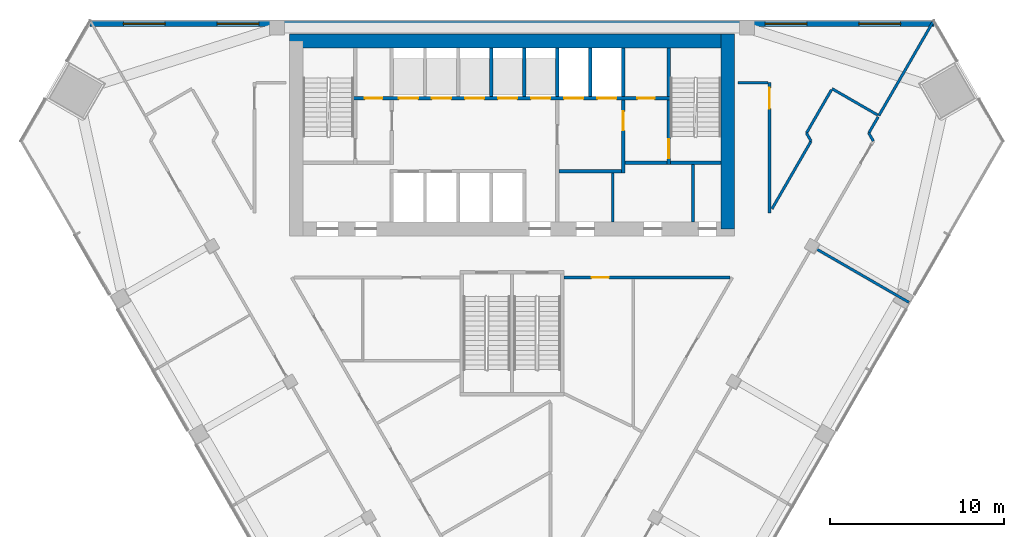
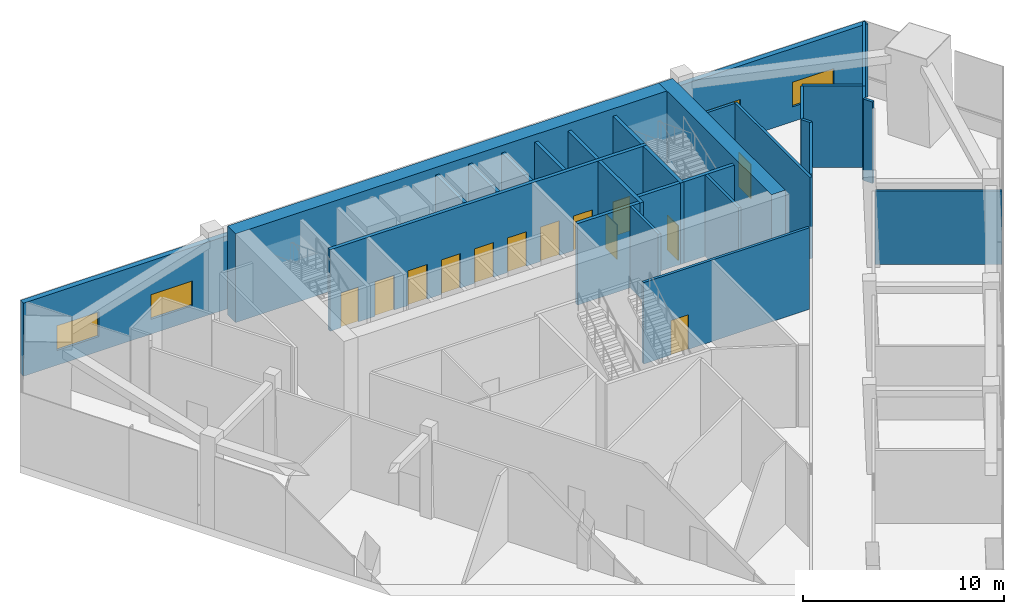
# One storey, part 9 of 12: 28 walls, 13 doors, 4 windows, 17 openings.
"""IFC4 building model written with IfcOpenShell, lengths in metres."""

from ifc_helpers import new_model, si_unit, direction, frame, frame_2d, origin, place, context, subcontext, project, spatial, rectangle, extrude, material, layer, layer_set, type_object, element, fill, save


model = new_model("IFC4")

# Units and contexts
model_context = context("Model", 3, precision=1e-05, world=origin(), true_north=direction((0.0, 1.0)))
body_context = subcontext(model_context, "Body", "Model", "MODEL_VIEW")
ifc_project = project(units=[si_unit("LENGTHUNIT", "METRE"), si_unit("AREAUNIT", "SQUARE_METRE"), si_unit("VOLUMEUNIT", "CUBIC_METRE"), si_unit("PLANEANGLEUNIT", "RADIAN"), si_unit("MASSUNIT", "GRAM", prefix="KILO")], contexts=[model_context])

# Site, building, storey
site_placement = place(None, origin())
site = spatial("IfcSite", under=ifc_project, at=site_placement, CompositionType="ELEMENT")
building_placement = place(site_placement, origin())
building = spatial("IfcBuilding", under=site, at=building_placement, Name="Altiplano Prism Tower", CompositionType="ELEMENT")
storey_placement = place(building_placement, frame((0.0, 0.0, 118.800048828125)))
storey = spatial("IfcBuildingStorey", under=building, at=storey_placement, Name="L30", CompositionType="ELEMENT", Elevation=118.800048828125)

# Walls
ifc_material_1 = material(Name="Concrete C60/75", Category="concrete")
ifc_layer_1 = layer(ifc_material_1, 0.800048828125)
ifc_layer_set_1 = layer_set([ifc_layer_1], Name="Concrete C60/75")
wall_type_1 = type_object("IfcWallType", Name="Core wall 800", PredefinedType="SHEAR", material=ifc_layer_set_1)
wall_1_placement = place(storey_placement, frame((97.39990234375, 93.0, 0.0), z_axis=(0.0, 0.0, 1.0), x_axis=(0.0, 1.0, 0.0)))
element("IfcWall", 1, at=wall_1_placement, inside=storey, type_object=wall_type_1, Name="Core wall E L30", PredefinedType="SHEAR", context=body_context, shape_type="SweptSolid", body=[
    extrude(rectangle(XDim=11.199951171875, YDim=0.800048828125, at=frame_2d((5.60009765625, 0.0))), origin(), (0.0, 0.0, 1.0), 5.39990234375),
])
wall_2_placement = place(storey_placement, frame((97.39990234375, 103.800048828125, 0.0), z_axis=(0.0, 0.0, 1.0), x_axis=(-1.0, 0.0, 0.0)))
element("IfcWall", 2, at=wall_2_placement, inside=storey, type_object=wall_type_1, Name="Core wall N L30", PredefinedType="SHEAR", context=body_context, shape_type="SweptSolid", body=[
    extrude(rectangle(XDim=25.199951171875, YDim=0.800048828125, at=frame_2d((12.60009765625, 0.0))), origin(), (0.0, 0.0, 1.0), 5.39990234375),
])
ifc_material_2 = material(Name="Plasterboard on steel stud", Category="steel")
ifc_layer_2 = layer(ifc_material_2, 0.14990234375)
ifc_layer_set_2 = layer_set([ifc_layer_2], Name="Plasterboard on steel stud")
wall_type_2 = type_object("IfcWallType", Name="Partition 150 corridor", PredefinedType="PARTITIONING", material=ifc_layer_set_2)
wall_3_placement = place(storey_placement, frame((105.76953125, 98.03955078125, 0.0), z_axis=(0.0, 0.0, 1.0), x_axis=(-0.500040427072, 0.866002061945, 0.0)))
element("IfcWall", 3, at=wall_3_placement, inside=storey, type_object=wall_type_2, Name="Partition P06 L30 007", PredefinedType="PARTITIONING", context=body_context, shape_type="SweptSolid", body=[
    extrude(rectangle(XDim=0.53173828125, YDim=0.14990234375, at=frame_2d((0.265869140625, 0.0))), origin(), (0.0, 0.0, 1.0), 4.949951171875),
])
wall_4_placement = place(storey_placement, frame((105.503662109375, 98.5, 0.0), z_axis=(0.0, 0.0, 1.0), x_axis=(0.500002782129, 0.866023797515, 0.0)))
element("IfcWall", 4, at=wall_4_placement, inside=storey, type_object=wall_type_2, Name="Partition P06 L30 008", PredefinedType="PARTITIONING", context=body_context, shape_type="SweptSolid", body=[
    extrude(rectangle(XDim=1.08056640625, YDim=0.14990234375, at=frame_2d((0.540283203125, 0.0))), origin(), (0.0, 0.0, 1.0), 4.949951171875),
])
wall_5_placement = place(storey_placement, frame((106.016357421875, 99.538330078125, 0.0), z_axis=(0.0, 0.0, 1.0), x_axis=(-0.866125135103, 0.49982722049, 0.0)))
element("IfcWall", 5, at=wall_5_placement, inside=storey, type_object=wall_type_2, Name="Partition P06 L30 009", PredefinedType="PARTITIONING", context=body_context, shape_type="SweptSolid", body=[
    extrude(rectangle(XDim=3.02587890625, YDim=0.14990234375, at=frame_2d((1.512939453125, 0.0))), origin(), (0.0, 0.0, 1.0), 4.949951171875),
])
wall_6_placement = place(storey_placement, frame((103.358154296875, 100.98583984375, 0.0), z_axis=(0.0, 0.0, 1.0), x_axis=(-0.500036638401, -0.866004249561, 0.0)))
element("IfcWall", 6, at=wall_6_placement, inside=storey, type_object=wall_type_2, Name="Partition P06 L30 010", PredefinedType="PARTITIONING", context=body_context, shape_type="SweptSolid", body=[
    extrude(rectangle(XDim=2.869873046875, YDim=0.14990234375, at=frame_2d((1.43505859375, 0.0))), origin(), (0.0, 0.0, 1.0), 4.949951171875),
])
wall_7_placement = place(storey_placement, frame((101.923095703125, 98.50048828125, 0.0), z_axis=(0.0, 0.0, 1.0), x_axis=(0.499298623879, -0.866429964967, 0.0)))
element("IfcWall", 7, at=wall_7_placement, inside=storey, type_object=wall_type_2, Name="Partition P06 L30 011", PredefinedType="PARTITIONING", context=body_context, shape_type="SweptSolid", body=[
    extrude(rectangle(XDim=0.531982421875, YDim=0.14990234375, at=frame_2d((0.26611328125, 0.0))), origin(), (0.0, 0.0, 1.0), 4.949951171875),
])
wall_8_placement = place(storey_placement, frame((102.188720703125, 98.03955078125, 0.0), z_axis=(0.0, 0.0, 1.0), x_axis=(-0.499999806828, -0.866025515312, 0.0)))
element("IfcWall", 8, at=wall_8_placement, inside=storey, type_object=wall_type_2, Name="Partition P06 L30 012", PredefinedType="PARTITIONING", context=body_context, shape_type="SweptSolid", body=[
    extrude(rectangle(XDim=4.49560546875, YDim=0.14990234375, at=frame_2d((2.247802734375, 0.0))), origin(), (0.0, 0.0, 1.0), 4.949951171875),
])

# Wall, opening, door
wall_9_placement = place(storey_placement, frame((99.801025390625, 93.90380859375, 0.0), z_axis=(0.0, 0.0, 1.0), x_axis=(0.0, 1.0, 0.0)))
wall_9 = element("IfcWall", 9, at=wall_9_placement, inside=storey, type_object=wall_type_2, Name="Partition P06 L30 013", PredefinedType="PARTITIONING", context=body_context, shape_type="SweptSolid", body=[
    extrude(rectangle(XDim=7.496337890625, YDim=0.14990234375, at=frame_2d((3.748046875, 0.0))), origin(), (0.0, 0.0, 1.0), 4.949951171875),
])
opening_1_placement = place(wall_9_placement, frame((6.0, 0.0, 0.0)))
opening_1 = element("IfcOpeningElement", 10, at=opening_1_placement, cuts=wall_9, Name="Opening D1084", PredefinedType="OPENING", context=body_context, shape_type="SweptSolid", body=[
    extrude(rectangle(XDim=1.199951171875, YDim=2.10009765625, at=frame_2d((0.60009765625, 1.050048828125))), frame((0.0, 0.08544921875, 0.0), z_axis=(0.0, -1.0, 0.0), x_axis=(1.0, 0.0, 0.0)), (0.0, 0.0, 1.0), 0.1708984375),
])
ifc_material_3 = material(Name="Timber", Category="wood")
door_type_1 = type_object("IfcDoorType", Name="Shared room door 1200 x 2100", OperationType="NOTDEFINED", PredefinedType="NOTDEFINED", material=ifc_material_3)
door_1_placement = place(opening_1_placement, origin())
door_1 = element("IfcDoor", 11, at=door_1_placement, inside=storey, type_object=door_type_1, Name="Door D1084", OperationType="SINGLE_SWING_LEFT", OverallHeight=2.10009765625, OverallWidth=1.199951171875, PredefinedType="NOTDEFINED", context=body_context, shape_type="SweptSolid", body=[
    extrude(rectangle(XDim=1.199951171875, YDim=2.10009765625, at=frame_2d((0.60009765625, 1.050048828125))), frame((0.0, 0.02490234375, 0.0), z_axis=(0.0, -1.0, 0.0), x_axis=(1.0, 0.0, 0.0)), (0.0, 0.0, 1.0), 0.050048828125),
])
fill(opening_1, door_1)

# Wall
wall_10_placement = place(storey_placement, frame((99.72607421875, 101.400146484375, 0.0), z_axis=(0.0, 0.0, 1.0), x_axis=(-0.999999909973, 0.000424328109, 0.0)))
element("IfcWall", 12, at=wall_10_placement, inside=storey, type_object=wall_type_2, Name="Partition P06 L30 014", PredefinedType="PARTITIONING", context=body_context, shape_type="SweptSolid", body=[
    extrude(rectangle(XDim=1.72607421875, YDim=0.14990234375, at=frame_2d((0.863037109375, 0.0))), origin(), (0.0, 0.0, 1.0), 4.949951171875),
])

# Wall, opening, door
wall_11_placement = place(storey_placement, frame((88.0, 90.198974609375, 0.0), z_axis=(0.0, 0.0, 1.0), x_axis=(1.0, 0.0, 0.0)))
wall_11 = element("IfcWall", 13, at=wall_11_placement, inside=storey, type_object=wall_type_2, Name="Partition P06 L30 022", PredefinedType="PARTITIONING", context=body_context, shape_type="SweptSolid", body=[
    extrude(rectangle(XDim=9.531982421875, YDim=0.14990234375, at=frame_2d((4.76611328125, 0.0))), origin(), (0.0, 0.0, 1.0), 4.949951171875),
])
opening_2_placement = place(wall_11_placement, frame((1.570068359375, 0.0, 0.0)))
opening_2 = element("IfcOpeningElement", 14, at=opening_2_placement, cuts=wall_11, Name="Opening D1087", PredefinedType="OPENING", context=body_context, shape_type="SweptSolid", body=[
    extrude(rectangle(XDim=1.0, YDim=2.10009765625, at=frame_2d((0.5, 1.050048828125))), frame((0.0, 0.08544921875, 0.0), z_axis=(0.0, -1.0, 0.0), x_axis=(1.0, 0.0, 0.0)), (0.0, 0.0, 1.0), 0.1708984375),
])
door_type_2 = type_object("IfcDoorType", Name="Room door 1000 x 2100", OperationType="NOTDEFINED", PredefinedType="NOTDEFINED", material=ifc_material_3)
door_2_placement = place(opening_2_placement, origin())
door_2 = element("IfcDoor", 15, at=door_2_placement, inside=storey, type_object=door_type_2, Name="Door D1087", OperationType="SINGLE_SWING_LEFT", OverallHeight=2.10009765625, OverallWidth=1.0, PredefinedType="NOTDEFINED", context=body_context, shape_type="SweptSolid", body=[
    extrude(rectangle(XDim=1.0, YDim=2.10009765625, at=frame_2d((0.5, 1.050048828125))), frame((0.0, 0.02490234375, 0.0), z_axis=(0.0, -1.0, 0.0), x_axis=(1.0, 0.0, 0.0)), (0.0, 0.0, 1.0), 0.050048828125),
])
fill(opening_2, door_2)

# Walls
ifc_layer_3 = layer(ifc_material_2, 0.14990234375)
ifc_layer_set_3 = layer_set([ifc_layer_3], Name="Plasterboard on steel stud")
wall_type_3 = type_object("IfcWallType", Name="Partition 150 party", PredefinedType="PARTITIONING", material=ifc_layer_set_3)
wall_12_placement = place(storey_placement, frame((107.810302734375, 88.774169921875, 0.0), z_axis=(0.0, 0.0, 1.0), x_axis=(-0.866025537322, 0.499999768706, 0.0)))
element("IfcWall", 16, at=wall_12_placement, inside=storey, type_object=wall_type_3, Name="Partition P01 L30 040", PredefinedType="PARTITIONING", context=body_context, shape_type="SweptSolid", body=[
    extrude(rectangle(XDim=6.3251953125, YDim=0.14990234375, at=frame_2d((3.16259765625, 0.0))), origin(), (0.0, 0.0, 1.0), 4.449951171875),
])
wall_13_placement = place(storey_placement, frame((109.198486328125, 104.89990234375, 0.0), z_axis=(0.0, 0.0, 1.0), x_axis=(-0.500013984911, -0.866017329442, 0.0)))
element("IfcWall", 17, at=wall_13_placement, inside=storey, type_object=wall_type_3, Name="Partition P01 L30 041", PredefinedType="PARTITIONING", context=body_context, shape_type="SweptSolid", body=[
    extrude(rectangle(XDim=6.234130859375, YDim=0.14990234375, at=frame_2d((3.1171875, 0.0))), origin(), (0.0, 0.0, 1.0), 4.449951171875),
])
ifc_material_4 = material(Name="Fire-rated gypsum board partition")
ifc_layer_4 = layer(ifc_material_4, 0.14990234375)
ifc_layer_set_4 = layer_set([ifc_layer_4], Name="Fire-rated gypsum board partition")
wall_type_4 = type_object("IfcWallType", Name="Room partition 150", PredefinedType="PARTITIONING", material=ifc_layer_set_4)
wall_14_placement = place(storey_placement, frame((90.800048828125, 93.39990234375, 0.0), z_axis=(0.0, 0.0, 1.0), x_axis=(0.0, 1.0, 0.0)))
element("IfcWall", 18, at=wall_14_placement, inside=storey, type_object=wall_type_4, Name="Room partition L30", PredefinedType="PARTITIONING", context=body_context, shape_type="SweptSolid", body=[
    extrude(rectangle(XDim=2.800048828125, YDim=0.14990234375, at=frame_2d((1.39990234375, 0.0))), origin(), (0.0, 0.0, 1.0), 4.949951171875),
])
wall_15_placement = place(storey_placement, frame((95.39990234375, 93.39990234375, 0.0), z_axis=(0.0, 0.0, 1.0), x_axis=(0.0, 1.0, 0.0)))
element("IfcWall", 19, at=wall_15_placement, inside=storey, type_object=wall_type_4, Name="Room partition L30", PredefinedType="PARTITIONING", context=body_context, shape_type="SweptSolid", body=[
    extrude(rectangle(XDim=3.300048828125, YDim=0.14990234375, at=frame_2d((1.64990234375, 0.0))), origin(), (0.0, 0.0, 1.0), 4.949951171875),
])
ifc_layer_5 = layer(ifc_material_1, 0.199951171875)
ifc_layer_set_5 = layer_set([ifc_layer_5], Name="Concrete C60/75")
wall_type_5 = type_object("IfcWallType", Name="Shaft wall 200", PredefinedType="SOLIDWALL", material=ifc_layer_set_5)
for number, where, z_axis, x_axis, name in (
    (20, (83.800048828125, 100.60009765625, 0.0), (0.0, 0.0, 1.0), (0.0, 1.0, 0.0), "Shaft wall L30"),
    (21, (85.699951171875, 100.60009765625, 0.0), (0.0, 0.0, 1.0), (0.0, 1.0, 0.0), "Shaft wall L30"),
    (22, (87.60009765625, 100.60009765625, 0.0), (0.0, 0.0, 1.0), (0.0, 1.0, 0.0), "Shaft wall L30"),
    (23, (89.5, 100.60009765625, 0.0), (0.0, 0.0, 1.0), (0.0, 1.0, 0.0), "Shaft wall L30"),
    (24, (91.39990234375, 100.60009765625, 0.0), (0.0, 0.0, 1.0), (0.0, 1.0, 0.0), "Shaft wall L30"),
):
    element("IfcWall", number, at=place(storey_placement, frame(where, z_axis=z_axis, x_axis=x_axis)), inside=storey, type_object=wall_type_5, Name=name, PredefinedType="SOLIDWALL", context=body_context, shape_type="SweptSolid", body=[
        extrude(rectangle(XDim=2.7998046875, YDim=0.199951171875, at=frame_2d((1.39990234375, 0.0))), origin(), (0.0, 0.0, 1.0), 4.949951171875),
    ])

# Wall, opening, door
ifc_layer_6 = layer(ifc_material_1, 0.199951171875)
ifc_layer_set_6 = layer_set([ifc_layer_6], Name="Concrete C60/75")
wall_type_6 = type_object("IfcWallType", Name="Stair wall 200", PredefinedType="SOLIDWALL", material=ifc_layer_set_6)
wall_16_placement = place(storey_placement, frame((94.0, 96.699951171875, 0.0), z_axis=(0.0, 0.0, 1.0), x_axis=(0.0, 1.0, 0.0)))
wall_16 = element("IfcWall", 25, at=wall_16_placement, inside=storey, type_object=wall_type_6, Name="Stair wall L30", PredefinedType="SOLIDWALL", context=body_context, shape_type="SweptSolid", body=[
    extrude(rectangle(XDim=3.699951171875, YDim=0.199951171875, at=frame_2d((1.85009765625, 0.0))), origin(), (0.0, 0.0, 1.0), 4.949951171875),
])
opening_3_placement = place(wall_16_placement, frame((0.35009765625, 0.0, 0.0)))
opening_3 = element("IfcOpeningElement", 26, at=opening_3_placement, cuts=wall_16, Name="Opening D2986", PredefinedType="OPENING", context=body_context, shape_type="SweptSolid", body=[
    extrude(rectangle(XDim=1.10009765625, YDim=2.10009765625, at=frame_2d((0.550048828125, 1.050048828125))), frame((0.0, 0.1103515625, 0.0), z_axis=(0.0, -1.0, 0.0), x_axis=(1.0, 0.0, 0.0)), (0.0, 0.0, 1.0), 0.220947265625),
])
ifc_material_5 = material(Name="Fire-rated steel door", Category="steel")
door_type_3 = type_object("IfcDoorType", Name="Stair fire door 1100 x 2100", OperationType="NOTDEFINED", PredefinedType="NOTDEFINED", material=ifc_material_5)
door_3_placement = place(opening_3_placement, origin())
door_3 = element("IfcDoor", 27, at=door_3_placement, inside=storey, type_object=door_type_3, Name="Stair fire door D2986", OperationType="SINGLE_SWING_LEFT", OverallHeight=2.10009765625, OverallWidth=1.10009765625, PredefinedType="NOTDEFINED", context=body_context, shape_type="SweptSolid", body=[
    extrude(rectangle(XDim=1.10009765625, YDim=2.10009765625, at=frame_2d((0.550048828125, 1.050048828125))), frame((0.0, 0.02490234375, 0.0), z_axis=(0.0, -1.0, 0.0), x_axis=(1.0, 0.0, 0.0)), (0.0, 0.0, 1.0), 0.050048828125),
])
fill(opening_3, door_3)

# Wall
wall_17_placement = place(storey_placement, frame((94.10009765625, 96.800048828125, 0.0), z_axis=(0.0, 0.0, 1.0), x_axis=(1.0, 0.0, 0.0)))
element("IfcWall", 28, at=wall_17_placement, inside=storey, type_object=wall_type_6, Name="Stair wall L30", PredefinedType="SOLIDWALL", context=body_context, shape_type="SweptSolid", body=[
    extrude(rectangle(XDim=2.89990234375, YDim=0.199951171875, at=frame_2d((1.449951171875, 0.0))), origin(), (0.0, 0.0, 1.0), 4.949951171875),
])

# Wall, openings, doors
wall_18_placement = place(storey_placement, frame((75.89990234375, 100.5, 0.0), z_axis=(0.0, 0.0, 1.0), x_axis=(1.0, 0.0, 0.0)))
wall_18 = element("IfcWall", 29, at=wall_18_placement, inside=storey, type_object=wall_type_6, Name="Stair wall L30", PredefinedType="SOLIDWALL", context=body_context, shape_type="SweptSolid", body=[
    extrude(rectangle(XDim=18.2001953125, YDim=0.199951171875, at=frame_2d((9.10009765625, 0.0))), origin(), (0.0, 0.0, 1.0), 4.949951171875),
])
opening_4_placement = place(wall_18_placement, frame((2.60009765625, 0.0, 0.0)))
opening_4 = element("IfcOpeningElement", 30, at=opening_4_placement, cuts=wall_18, Name="Opening LD-ML1-L30", PredefinedType="OPENING", context=body_context, shape_type="SweptSolid", body=[
    extrude(rectangle(XDim=1.10009765625, YDim=2.10009765625, at=frame_2d((0.550048828125, 1.050048828125))), frame((0.0, 0.1103515625, 0.0), z_axis=(0.0, -1.0, 0.0), x_axis=(1.0, 0.0, 0.0)), (0.0, 0.0, 1.0), 0.220947265625),
])
opening_5_placement = place(wall_18_placement, frame((4.5, 0.0, 0.0)))
opening_5 = element("IfcOpeningElement", 31, at=opening_5_placement, cuts=wall_18, Name="Opening LD-ML2-L30", PredefinedType="OPENING", context=body_context, shape_type="SweptSolid", body=[
    extrude(rectangle(XDim=1.10009765625, YDim=2.10009765625, at=frame_2d((0.550048828125, 1.050048828125))), frame((0.0, 0.1103515625, 0.0), z_axis=(0.0, -1.0, 0.0), x_axis=(1.0, 0.0, 0.0)), (0.0, 0.0, 1.0), 0.220947265625),
])
opening_6_placement = place(wall_18_placement, frame((6.39990234375, 0.0, 0.0)))
opening_6 = element("IfcOpeningElement", 32, at=opening_6_placement, cuts=wall_18, Name="Opening LD-ML3-L30", PredefinedType="OPENING", context=body_context, shape_type="SweptSolid", body=[
    extrude(rectangle(XDim=1.10009765625, YDim=2.10009765625, at=frame_2d((0.550048828125, 1.050048828125))), frame((0.0, 0.1103515625, 0.0), z_axis=(0.0, -1.0, 0.0), x_axis=(1.0, 0.0, 0.0)), (0.0, 0.0, 1.0), 0.220947265625),
])
opening_7_placement = place(wall_18_placement, frame((8.300048828125, 0.0, 0.0)))
opening_7 = element("IfcOpeningElement", 33, at=opening_7_placement, cuts=wall_18, Name="Opening LD-ML4-L30", PredefinedType="OPENING", context=body_context, shape_type="SweptSolid", body=[
    extrude(rectangle(XDim=1.10009765625, YDim=2.10009765625, at=frame_2d((0.550048828125, 1.050048828125))), frame((0.0, 0.1103515625, 0.0), z_axis=(0.0, -1.0, 0.0), x_axis=(1.0, 0.0, 0.0)), (0.0, 0.0, 1.0), 0.220947265625),
])
opening_8_placement = place(wall_18_placement, frame((10.199951171875, 0.0, 0.0)))
opening_8 = element("IfcOpeningElement", 34, at=opening_8_placement, cuts=wall_18, Name="Opening LD-ML5-L30", PredefinedType="OPENING", context=body_context, shape_type="SweptSolid", body=[
    extrude(rectangle(XDim=1.10009765625, YDim=2.10009765625, at=frame_2d((0.550048828125, 1.050048828125))), frame((0.0, 0.1103515625, 0.0), z_axis=(0.0, -1.0, 0.0), x_axis=(1.0, 0.0, 0.0)), (0.0, 0.0, 1.0), 0.220947265625),
])
opening_9_placement = place(wall_18_placement, frame((12.10009765625, 0.0, 0.0)))
opening_9 = element("IfcOpeningElement", 35, at=opening_9_placement, cuts=wall_18, Name="Opening LD-FF1-L30", PredefinedType="OPENING", context=body_context, shape_type="SweptSolid", body=[
    extrude(rectangle(XDim=1.10009765625, YDim=2.10009765625, at=frame_2d((0.550048828125, 1.050048828125))), frame((0.0, 0.1103515625, 0.0), z_axis=(0.0, -1.0, 0.0), x_axis=(1.0, 0.0, 0.0)), (0.0, 0.0, 1.0), 0.220947265625),
])
opening_10_placement = place(wall_18_placement, frame((14.0, 0.0, 0.0)))
opening_10 = element("IfcOpeningElement", 36, at=opening_10_placement, cuts=wall_18, Name="Opening LD-FF2-L30", PredefinedType="OPENING", context=body_context, shape_type="SweptSolid", body=[
    extrude(rectangle(XDim=1.10009765625, YDim=2.10009765625, at=frame_2d((0.550048828125, 1.050048828125))), frame((0.0, 0.1103515625, 0.0), z_axis=(0.0, -1.0, 0.0), x_axis=(1.0, 0.0, 0.0)), (0.0, 0.0, 1.0), 0.220947265625),
])
opening_11_placement = place(wall_18_placement, frame((0.64990234375, 0.0, 0.0)))
opening_11 = element("IfcOpeningElement", 37, at=opening_11_placement, cuts=wall_18, Name="Opening D2993", PredefinedType="OPENING", context=body_context, shape_type="SweptSolid", body=[
    extrude(rectangle(XDim=1.0, YDim=2.10009765625, at=frame_2d((0.5, 1.050048828125))), frame((0.0, 0.1103515625, 0.0), z_axis=(0.0, -1.0, 0.0), x_axis=(1.0, 0.0, 0.0)), (0.0, 0.0, 1.0), 0.220947265625),
])
opening_12_placement = place(wall_18_placement, frame((16.300048828125, 0.0, 0.0)))
opening_12 = element("IfcOpeningElement", 38, at=opening_12_placement, cuts=wall_18, Name="Opening D2994", PredefinedType="OPENING", context=body_context, shape_type="SweptSolid", body=[
    extrude(rectangle(XDim=1.0, YDim=2.10009765625, at=frame_2d((0.5, 1.050048828125))), frame((0.0, 0.1103515625, 0.0), z_axis=(0.0, -1.0, 0.0), x_axis=(1.0, 0.0, 0.0)), (0.0, 0.0, 1.0), 0.220947265625),
])
door_type_4 = type_object("IfcDoorType", Name="Core room door 1000 x 2100", OperationType="NOTDEFINED", PredefinedType="NOTDEFINED", material=ifc_material_5)
door_4_placement = place(opening_11_placement, origin())
door_4 = element("IfcDoor", 39, at=door_4_placement, inside=storey, type_object=door_type_4, Name="Core room door D2993", OperationType="SINGLE_SWING_LEFT", OverallHeight=2.10009765625, OverallWidth=1.0, PredefinedType="NOTDEFINED", context=body_context, shape_type="SweptSolid", body=[
    extrude(rectangle(XDim=1.0, YDim=2.10009765625, at=frame_2d((0.5, 1.050048828125))), frame((0.0, 0.02490234375, 0.0), z_axis=(0.0, -1.0, 0.0), x_axis=(1.0, 0.0, 0.0)), (0.0, 0.0, 1.0), 0.050048828125),
])
fill(opening_11, door_4)
door_5_placement = place(opening_12_placement, origin())
door_5 = element("IfcDoor", 40, at=door_5_placement, inside=storey, type_object=door_type_4, Name="Core room door D2994", OperationType="SINGLE_SWING_RIGHT", OverallHeight=2.10009765625, OverallWidth=1.0, PredefinedType="NOTDEFINED", context=body_context, shape_type="SweptSolid", body=[
    extrude(rectangle(XDim=1.0, YDim=2.10009765625, at=frame_2d((0.5, 1.050048828125))), frame((0.0, 0.02490234375, 0.0), z_axis=(0.0, -1.0, 0.0), x_axis=(1.0, 0.0, 0.0)), (0.0, 0.0, 1.0), 0.050048828125),
])
fill(opening_12, door_5)
ifc_material_6 = material(Name="Stainless steel landing door", Category="steel")
door_type_5 = type_object("IfcDoorType", Name="Landing door 1100 x 2100", OperationType="NOTDEFINED", PredefinedType="NOTDEFINED", material=ifc_material_6)
door_6_placement = place(opening_4_placement, origin())
door_6 = element("IfcDoor", 41, at=door_6_placement, inside=storey, type_object=door_type_5, Name="Landing doors ML1", OperationType="SLIDING_TO_RIGHT", OverallHeight=2.10009765625, OverallWidth=1.10009765625, PredefinedType="NOTDEFINED", context=body_context, shape_type="SweptSolid", body=[
    extrude(rectangle(XDim=1.10009765625, YDim=2.10009765625, at=frame_2d((0.550048828125, 1.050048828125))), frame((0.0, 0.02490234375, 0.0), z_axis=(0.0, -1.0, 0.0), x_axis=(1.0, 0.0, 0.0)), (0.0, 0.0, 1.0), 0.050048828125),
])
fill(opening_4, door_6)
door_7_placement = place(opening_5_placement, origin())
door_7 = element("IfcDoor", 42, at=door_7_placement, inside=storey, type_object=door_type_5, Name="Landing doors ML2", OperationType="SLIDING_TO_LEFT", OverallHeight=2.10009765625, OverallWidth=1.10009765625, PredefinedType="NOTDEFINED", context=body_context, shape_type="SweptSolid", body=[
    extrude(rectangle(XDim=1.10009765625, YDim=2.10009765625, at=frame_2d((0.550048828125, 1.050048828125))), frame((0.0, 0.02490234375, 0.0), z_axis=(0.0, -1.0, 0.0), x_axis=(1.0, 0.0, 0.0)), (0.0, 0.0, 1.0), 0.050048828125),
])
fill(opening_5, door_7)
door_8_placement = place(opening_6_placement, origin())
door_8 = element("IfcDoor", 43, at=door_8_placement, inside=storey, type_object=door_type_5, Name="Landing doors ML3", OperationType="SLIDING_TO_RIGHT", OverallHeight=2.10009765625, OverallWidth=1.10009765625, PredefinedType="NOTDEFINED", context=body_context, shape_type="SweptSolid", body=[
    extrude(rectangle(XDim=1.10009765625, YDim=2.10009765625, at=frame_2d((0.550048828125, 1.050048828125))), frame((0.0, 0.02490234375, 0.0), z_axis=(0.0, -1.0, 0.0), x_axis=(1.0, 0.0, 0.0)), (0.0, 0.0, 1.0), 0.050048828125),
])
fill(opening_6, door_8)
door_9_placement = place(opening_7_placement, origin())
door_9 = element("IfcDoor", 44, at=door_9_placement, inside=storey, type_object=door_type_5, Name="Landing doors ML4", OperationType="SLIDING_TO_LEFT", OverallHeight=2.10009765625, OverallWidth=1.10009765625, PredefinedType="NOTDEFINED", context=body_context, shape_type="SweptSolid", body=[
    extrude(rectangle(XDim=1.10009765625, YDim=2.10009765625, at=frame_2d((0.550048828125, 1.050048828125))), frame((0.0, 0.02490234375, 0.0), z_axis=(0.0, -1.0, 0.0), x_axis=(1.0, 0.0, 0.0)), (0.0, 0.0, 1.0), 0.050048828125),
])
fill(opening_7, door_9)
door_10_placement = place(opening_8_placement, origin())
door_10 = element("IfcDoor", 45, at=door_10_placement, inside=storey, type_object=door_type_5, Name="Landing doors ML5", OperationType="SLIDING_TO_RIGHT", OverallHeight=2.10009765625, OverallWidth=1.10009765625, PredefinedType="NOTDEFINED", context=body_context, shape_type="SweptSolid", body=[
    extrude(rectangle(XDim=1.10009765625, YDim=2.10009765625, at=frame_2d((0.550048828125, 1.050048828125))), frame((0.0, 0.02490234375, 0.0), z_axis=(0.0, -1.0, 0.0), x_axis=(1.0, 0.0, 0.0)), (0.0, 0.0, 1.0), 0.050048828125),
])
fill(opening_8, door_10)
door_11_placement = place(opening_9_placement, origin())
door_11 = element("IfcDoor", 46, at=door_11_placement, inside=storey, type_object=door_type_5, Name="Landing doors FF1", OperationType="SLIDING_TO_RIGHT", OverallHeight=2.10009765625, OverallWidth=1.10009765625, PredefinedType="NOTDEFINED", context=body_context, shape_type="SweptSolid", body=[
    extrude(rectangle(XDim=1.10009765625, YDim=2.10009765625, at=frame_2d((0.550048828125, 1.050048828125))), frame((0.0, 0.02490234375, 0.0), z_axis=(0.0, -1.0, 0.0), x_axis=(1.0, 0.0, 0.0)), (0.0, 0.0, 1.0), 0.050048828125),
])
fill(opening_9, door_11)
door_12_placement = place(opening_10_placement, origin())
door_12 = element("IfcDoor", 47, at=door_12_placement, inside=storey, type_object=door_type_5, Name="Landing doors FF2", OperationType="SLIDING_TO_LEFT", OverallHeight=2.10009765625, OverallWidth=1.10009765625, PredefinedType="NOTDEFINED", context=body_context, shape_type="SweptSolid", body=[
    extrude(rectangle(XDim=1.10009765625, YDim=2.10009765625, at=frame_2d((0.550048828125, 1.050048828125))), frame((0.0, 0.02490234375, 0.0), z_axis=(0.0, -1.0, 0.0), x_axis=(1.0, 0.0, 0.0)), (0.0, 0.0, 1.0), 0.050048828125),
])
fill(opening_10, door_12)

# Wall
wall_19_placement = place(storey_placement, frame((94.0, 100.60009765625, 0.0), z_axis=(0.0, 0.0, 1.0), x_axis=(0.0, 1.0, 0.0)))
element("IfcWall", 48, at=wall_19_placement, inside=storey, type_object=wall_type_6, Name="Stair wall L30", PredefinedType="SOLIDWALL", context=body_context, shape_type="SweptSolid", body=[
    extrude(rectangle(XDim=2.7998046875, YDim=0.199951171875, at=frame_2d((1.39990234375, 0.0))), origin(), (0.0, 0.0, 1.0), 4.949951171875),
])

# Wall, openings, windows
ifc_material_7 = material(Name="Concrete C40", Category="concrete")
ifc_layer_7 = layer(ifc_material_7, 0.300048828125)
ifc_layer_set_7 = layer_set([ifc_layer_7], Name="Concrete C40")
wall_type_7 = type_object("IfcWallType", Name="Stone-clad external wall 300", PredefinedType="SOLIDWALL", material=ifc_layer_set_7)
wall_20_placement = place(storey_placement, frame((60.74365234375, 104.7900390625, 0.0), z_axis=(0.0, 0.0, 1.0), x_axis=(1.0, 0.0, 0.0)))
wall_20 = element("IfcWall", 49, at=wall_20_placement, inside=storey, type_object=wall_type_7, Name="External wall north face L30", PredefinedType="SOLIDWALL", context=body_context, shape_type="SweptSolid", body=[
    extrude(rectangle(XDim=48.5126953125, YDim=0.300048828125, at=frame_2d((24.25634765625, 0.0))), origin(), (0.0, 0.0, 1.0), 4.449951171875),
])
opening_13_placement = place(wall_20_placement, frame((44.1845703125, 0.0, 0.89990234375)))
opening_13 = element("IfcOpeningElement", 50, at=opening_13_placement, cuts=wall_20, Name="Opening W1", PredefinedType="OPENING", context=body_context, shape_type="SweptSolid", body=[
    extrude(rectangle(XDim=2.39990234375, YDim=1.5, at=frame_2d((1.199951171875, 0.75))), frame((0.0, 0.16064453125, 0.0), z_axis=(0.0, -1.0, 0.0), x_axis=(1.0, 0.0, 0.0)), (0.0, 0.0, 1.0), 0.321044921875),
])
opening_14_placement = place(wall_20_placement, frame((38.806640625, 0.0, 0.89990234375)))
opening_14 = element("IfcOpeningElement", 51, at=opening_14_placement, cuts=wall_20, Name="Opening W1", PredefinedType="OPENING", context=body_context, shape_type="SweptSolid", body=[
    extrude(rectangle(XDim=2.39990234375, YDim=1.5, at=frame_2d((1.199951171875, 0.75))), frame((0.0, 0.16064453125, 0.0), z_axis=(0.0, -1.0, 0.0), x_axis=(1.0, 0.0, 0.0)), (0.0, 0.0, 1.0), 0.321044921875),
])
opening_15_placement = place(wall_20_placement, frame((7.306640625, 0.0, 0.89990234375)))
opening_15 = element("IfcOpeningElement", 52, at=opening_15_placement, cuts=wall_20, Name="Opening W1", PredefinedType="OPENING", context=body_context, shape_type="SweptSolid", body=[
    extrude(rectangle(XDim=2.39990234375, YDim=1.5, at=frame_2d((1.199951171875, 0.75))), frame((0.0, 0.16064453125, 0.0), z_axis=(0.0, -1.0, 0.0), x_axis=(1.0, 0.0, 0.0)), (0.0, 0.0, 1.0), 0.321044921875),
])
opening_16_placement = place(wall_20_placement, frame((1.9287109375, 0.0, 0.89990234375)))
opening_16 = element("IfcOpeningElement", 53, at=opening_16_placement, cuts=wall_20, Name="Opening W1", PredefinedType="OPENING", context=body_context, shape_type="SweptSolid", body=[
    extrude(rectangle(XDim=2.39990234375, YDim=1.5, at=frame_2d((1.199951171875, 0.75))), frame((0.0, 0.16064453125, 0.0), z_axis=(0.0, -1.0, 0.0), x_axis=(1.0, 0.0, 0.0)), (0.0, 0.0, 1.0), 0.321044921875),
])
ifc_material_8 = material(Name="Glass", Category="glass")
window_type = type_object("IfcWindowType", Name="Window 2400 x 1500", PartitioningType="SINGLE_PANEL", PredefinedType="WINDOW", material=ifc_material_8)
window_1_placement = place(opening_13_placement, origin())
window_1 = element("IfcWindow", 54, at=window_1_placement, inside=storey, type_object=window_type, Name="Window L30", OverallHeight=1.5, OverallWidth=2.39990234375, PartitioningType="SINGLE_PANEL", PredefinedType="WINDOW", context=body_context, shape_type="SweptSolid", body=[
    extrude(rectangle(XDim=2.39990234375, YDim=1.5, at=frame_2d((1.199951171875, 0.75))), frame((0.0, 0.030029296875, 0.0), z_axis=(0.0, -1.0, 0.0), x_axis=(1.0, 0.0, 0.0)), (0.0, 0.0, 1.0), 0.06005859375),
])
fill(opening_13, window_1)
window_2_placement = place(opening_14_placement, origin())
window_2 = element("IfcWindow", 55, at=window_2_placement, inside=storey, type_object=window_type, Name="Window L30", OverallHeight=1.5, OverallWidth=2.39990234375, PartitioningType="SINGLE_PANEL", PredefinedType="WINDOW", context=body_context, shape_type="SweptSolid", body=[
    extrude(rectangle(XDim=2.39990234375, YDim=1.5, at=frame_2d((1.199951171875, 0.75))), frame((0.0, 0.030029296875, 0.0), z_axis=(0.0, -1.0, 0.0), x_axis=(1.0, 0.0, 0.0)), (0.0, 0.0, 1.0), 0.06005859375),
])
fill(opening_14, window_2)
window_3_placement = place(opening_15_placement, origin())
window_3 = element("IfcWindow", 56, at=window_3_placement, inside=storey, type_object=window_type, Name="Window L30", OverallHeight=1.5, OverallWidth=2.39990234375, PartitioningType="SINGLE_PANEL", PredefinedType="WINDOW", context=body_context, shape_type="SweptSolid", body=[
    extrude(rectangle(XDim=2.39990234375, YDim=1.5, at=frame_2d((1.199951171875, 0.75))), frame((0.0, 0.030029296875, 0.0), z_axis=(0.0, -1.0, 0.0), x_axis=(1.0, 0.0, 0.0)), (0.0, 0.0, 1.0), 0.06005859375),
])
fill(opening_15, window_3)
window_4_placement = place(opening_16_placement, origin())
window_4 = element("IfcWindow", 57, at=window_4_placement, inside=storey, type_object=window_type, Name="Window L30", OverallHeight=1.5, OverallWidth=2.39990234375, PartitioningType="SINGLE_PANEL", PredefinedType="WINDOW", context=body_context, shape_type="SweptSolid", body=[
    extrude(rectangle(XDim=2.39990234375, YDim=1.5, at=frame_2d((1.199951171875, 0.75))), frame((0.0, 0.030029296875, 0.0), z_axis=(0.0, -1.0, 0.0), x_axis=(1.0, 0.0, 0.0)), (0.0, 0.0, 1.0), 0.06005859375),
])
fill(opening_16, window_4)

# Wall
ifc_layer_8 = layer(ifc_material_1, 0.199951171875)
ifc_layer_set_8 = layer_set([ifc_layer_8], Name="Concrete C60/75")
wall_type_8 = type_object("IfcWallType", Name="Vestibule wall 200", PredefinedType="PARTITIONING", material=ifc_layer_set_8)
wall_21_placement = place(storey_placement, frame((87.699951171875, 96.300048828125, 0.0), z_axis=(0.0, 0.0, 1.0), x_axis=(1.0, 0.0, 0.0)))
element("IfcWall", 58, at=wall_21_placement, inside=storey, type_object=wall_type_8, Name="Vestibule wall L30", PredefinedType="PARTITIONING", context=body_context, shape_type="SweptSolid", body=[
    extrude(rectangle(XDim=3.60009765625, YDim=0.199951171875, at=frame_2d((1.800048828125, 0.0))), origin(), (0.0, 0.0, 1.0), 4.949951171875),
])

# Wall, opening, door
wall_22_placement = place(storey_placement, frame((91.39990234375, 96.199951171875, 0.0), z_axis=(0.0, 0.0, 1.0), x_axis=(0.0, 1.0, 0.0)))
wall_22 = element("IfcWall", 59, at=wall_22_placement, inside=storey, type_object=wall_type_8, Name="Vestibule wall L30", PredefinedType="PARTITIONING", context=body_context, shape_type="SweptSolid", body=[
    extrude(rectangle(XDim=4.199951171875, YDim=0.199951171875, at=frame_2d((2.10009765625, 0.0))), origin(), (0.0, 0.0, 1.0), 4.949951171875),
])
opening_17_placement = place(wall_22_placement, frame((2.449951171875, 0.0, 0.0)))
opening_17 = element("IfcOpeningElement", 60, at=opening_17_placement, cuts=wall_22, Name="Opening D2989", PredefinedType="OPENING", context=body_context, shape_type="SweptSolid", body=[
    extrude(rectangle(XDim=1.10009765625, YDim=2.10009765625, at=frame_2d((0.550048828125, 1.050048828125))), frame((0.0, 0.1103515625, 0.0), z_axis=(0.0, -1.0, 0.0), x_axis=(1.0, 0.0, 0.0)), (0.0, 0.0, 1.0), 0.220947265625),
])
door_type_6 = type_object("IfcDoorType", Name="Vestibule fire door 1100 x 2100", OperationType="NOTDEFINED", PredefinedType="NOTDEFINED", material=ifc_material_5)
door_13_placement = place(opening_17_placement, origin())
door_13 = element("IfcDoor", 61, at=door_13_placement, inside=storey, type_object=door_type_6, Name="Vestibule fire door D2989", OperationType="SINGLE_SWING_LEFT", OverallHeight=2.10009765625, OverallWidth=1.10009765625, PredefinedType="NOTDEFINED", context=body_context, shape_type="SweptSolid", body=[
    extrude(rectangle(XDim=1.10009765625, YDim=2.10009765625, at=frame_2d((0.550048828125, 1.050048828125))), frame((0.0, 0.02490234375, 0.0), z_axis=(0.0, -1.0, 0.0), x_axis=(1.0, 0.0, 0.0)), (0.0, 0.0, 1.0), 0.050048828125),
])
fill(opening_17, door_13)

# Wall
wall_23_placement = place(storey_placement, frame((91.5, 96.800048828125, 0.0), z_axis=(0.0, 0.0, 1.0), x_axis=(1.0, 0.0, 0.0)))
element("IfcWall", 62, at=wall_23_placement, inside=storey, type_object=wall_type_8, Name="Vestibule wall L30", PredefinedType="PARTITIONING", context=body_context, shape_type="SweptSolid", body=[
    extrude(rectangle(XDim=2.39990234375, YDim=0.199951171875, at=frame_2d((1.199951171875, 0.0))), origin(), (0.0, 0.0, 1.0), 4.949951171875),
])

save(model, "model.ifc")
